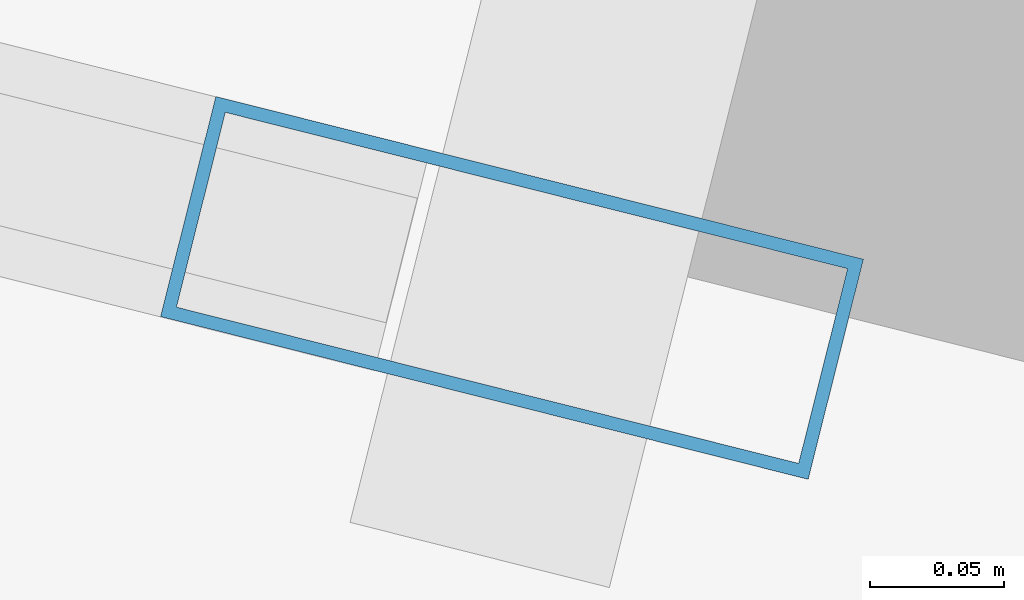
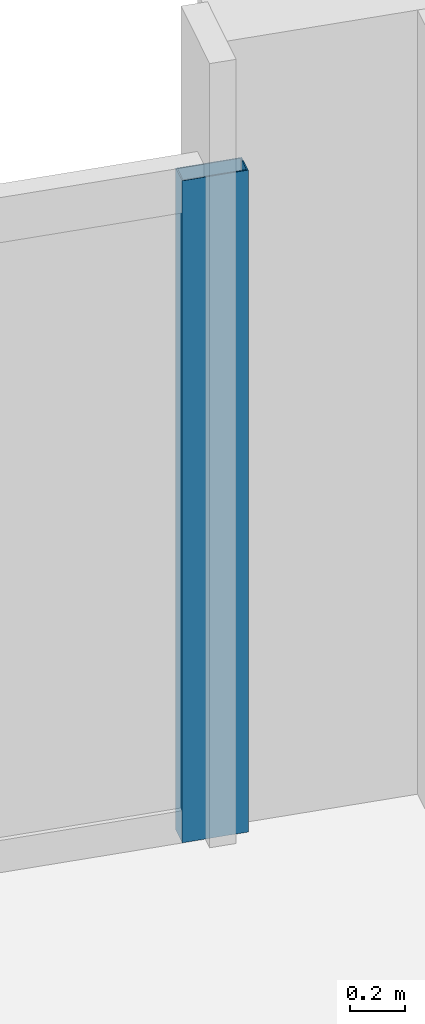
# One storey, part 18 of 28: 1 member, 1 element without a shape of its own.
"""IFC4 building model written with IfcOpenShell, lengths in metres."""

from ifc_helpers import new_model, si_unit, direction, frame, origin, origin_2d, place, context, subcontext, project, spatial, hollow_rectangle, extrude, material, material_profile, profile_set, type_object, element, aggregate, save


model = new_model("IFC4")

# Units and contexts
model_context = context("Model", 3, precision=1e-05, world=origin(), true_north=direction((0.0, 1.0)))
body_context = subcontext(model_context, "Body", "Model", "MODEL_VIEW")
ifc_project = project(units=[si_unit("LENGTHUNIT", "METRE"), si_unit("AREAUNIT", "SQUARE_METRE"), si_unit("VOLUMEUNIT", "CUBIC_METRE"), si_unit("PLANEANGLEUNIT", "RADIAN"), si_unit("MASSUNIT", "GRAM", prefix="KILO")], contexts=[model_context])

# Site, building, storey
site_placement = place(None, origin())
site = spatial("IfcSite", under=ifc_project, at=site_placement, CompositionType="ELEMENT")
building_placement = place(site_placement, origin())
building = spatial("IfcBuilding", under=site, at=building_placement, Name="Haldenkirk Collegiate Tower", CompositionType="ELEMENT")
storey_placement = place(building_placement, frame((0.0, 0.0, 282.449951171875)))
storey = spatial("IfcBuildingStorey", under=building, at=storey_placement, Name="L71", CompositionType="ELEMENT", Elevation=282.449951171875)

# Curtain wall, member
ifc_material = material(Name="Anodised architectural bronze aluminium", Category="aluminium")
curtain_wall_type = type_object("IfcCurtainWallType", Name="CW-SYS1B-CONVEX-HI", PredefinedType="USERDEFINED", material=ifc_material)
curtain_wall_placement = place(storey_placement, origin())
curtain_wall = element("IfcCurtainWall", 1, at=curtain_wall_placement, inside=storey, type_object=curtain_wall_type, Name="L71 Upper tower high-wind convex bronze unitised curtain wall", ObjectType="UNITISED CURTAIN WALL", PredefinedType="USERDEFINED")
ifc_material_profile = material_profile(ifc_material, hollow_rectangle(XDim=0.0849609375, YDim=0.25, WallThickness=0.0048828125, at=origin_2d()), Name="CW-MUL-1B")
ifc_profile_set = profile_set([ifc_material_profile], Name="Anodised architectural bronze aluminium")
member_type = type_object("IfcMemberType", Name="CW-MUL-1B", PredefinedType="MULLION", material=ifc_profile_set)
member_placement = place(storey_placement, frame((59.109130859375, 43.77587890625, 0.0), z_axis=(0.0, 0.0, 1.0), x_axis=(0.243611692191, 0.969872849103, 0.0)))
member = element("IfcMember", 2, at=member_placement, type_object=member_type, Name="CW-1B mullion 4", PredefinedType="MULLION", context=body_context, shape_type="SweptSolid", body=[
    extrude(hollow_rectangle(XDim=0.0849609375, YDim=0.25, WallThickness=0.0048828125, at=origin_2d()), origin(), (0.0, 0.0, 1.0), 2.93798828125),
])
aggregate(curtain_wall, [member])

save(model, "model.ifc")
